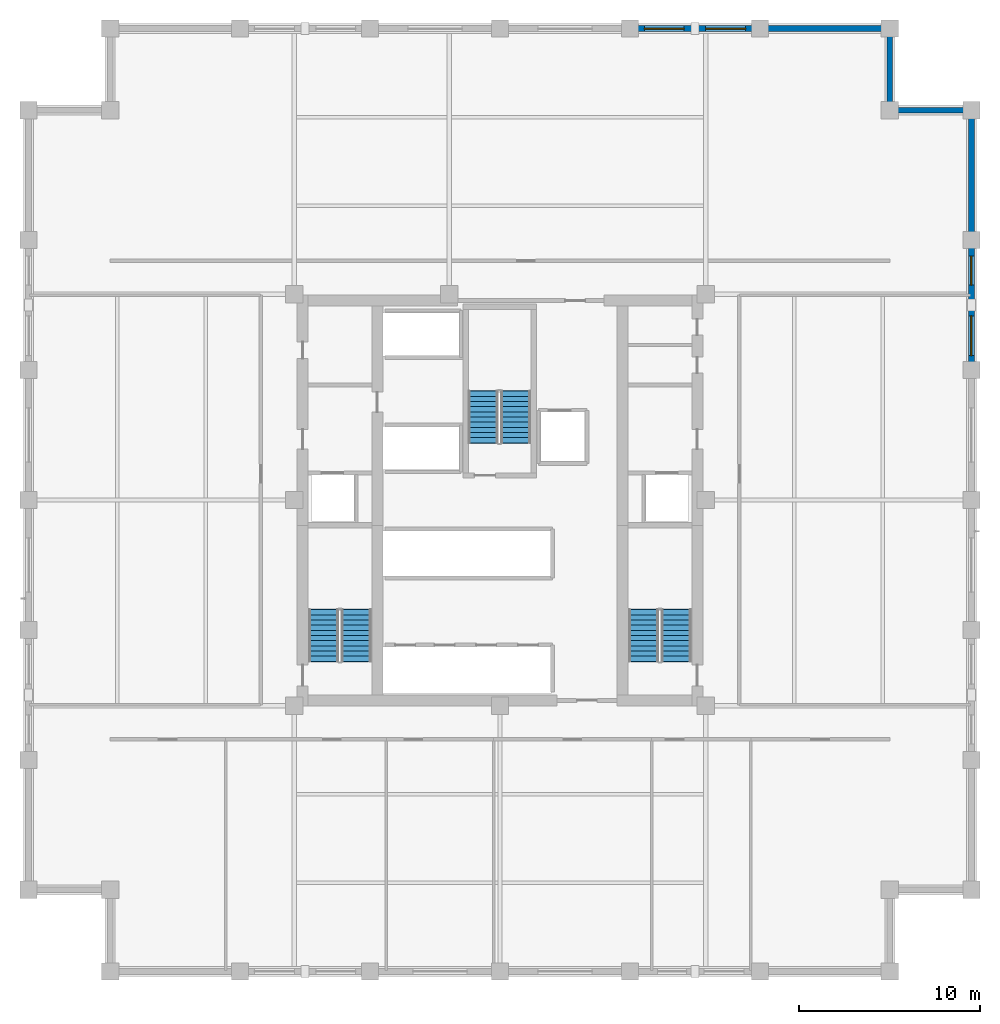
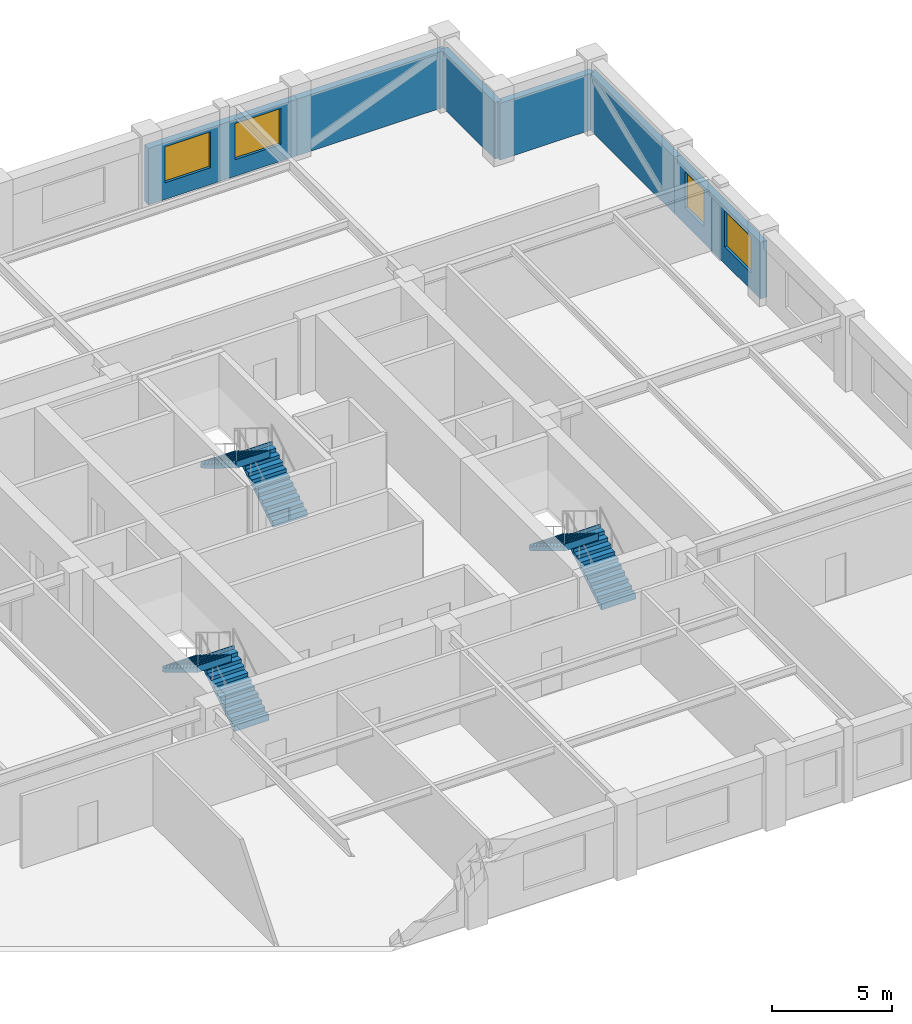
# One storey, part 8 of 9: 6 stair flights, 6 walls, 4 windows, 4 openings, 3 elements without a shape of their own.
"""IFC4 building model written with IfcOpenShell, lengths in metres."""

from ifc_helpers import new_model, si_unit, direction, frame, frame_2d, origin, place, context, subcontext, project, spatial, polyline, rectangle, outline, extrude, material, layer, layer_set, type_object, element, fill, aggregate, save


model = new_model("IFC4")

# Units and contexts
model_context = context("Model", 3, precision=1e-05, world=origin(), true_north=direction((0.0, 1.0)))
body_context = subcontext(model_context, "Body", "Model", "MODEL_VIEW")
ifc_project = project(units=[si_unit("LENGTHUNIT", "METRE"), si_unit("AREAUNIT", "SQUARE_METRE"), si_unit("VOLUMEUNIT", "CUBIC_METRE"), si_unit("PLANEANGLEUNIT", "RADIAN"), si_unit("MASSUNIT", "GRAM", prefix="KILO")], contexts=[model_context])

# Site, building, storey
site_placement = place(None, origin())
site = spatial("IfcSite", under=ifc_project, at=site_placement, CompositionType="ELEMENT")
building_placement = place(site_placement, origin())
building = spatial("IfcBuilding", under=site, at=building_placement, Name="Nhamokura Convention Tower", CompositionType="ELEMENT")
storey_placement = place(building_placement, frame((0.0, 0.0, 156.800048828125)))
storey = spatial("IfcBuildingStorey", under=building, at=storey_placement, Name="L38", CompositionType="ELEMENT", Elevation=156.800048828125)

# Wall, openings, windows
ifc_material_1 = material(Name="Bronze-pigmented precast concrete C45/55", Category="concrete")
ifc_layer = layer(ifc_material_1, 0.320068359375)
ifc_layer_set = layer_set([ifc_layer], Name="BronzePrecastSpandrel_320")
wall_type = type_object("IfcWallType", Name="BronzePrecastSpandrel_320", PredefinedType="USERDEFINED", material=ifc_layer_set)
wall_1_placement = place(storey_placement, frame((39.166748046875, 58.0, 0.0), z_axis=(0.0, 0.0, 1.0), x_axis=(1.0, 0.0, 0.0)))
wall_1 = element("IfcWall", 1, at=wall_1_placement, inside=storey, type_object=wall_type, Name="L38 Masonry-Frame Wall NORTH 4", ObjectType="SPANDREL_WALL", PredefinedType="USERDEFINED", context=body_context, shape_type="SweptSolid", body=[
    extrude(rectangle(XDim=7.16650390625, YDim=0.320068359375, at=frame_2d((3.583251953125, 0.0))), origin(), (0.0, 0.0, 1.0), 2.885009765625),
])
opening_1_placement = place(wall_1_placement, frame((0.791748046875, 0.0, 0.85009765625)))
opening_1 = element("IfcOpeningElement", 2, at=opening_1_placement, cuts=wall_1, Name="Opening W-06", PredefinedType="OPENING", context=body_context, shape_type="SweptSolid", body=[
    extrude(rectangle(XDim=2.199951171875, YDim=1.8349609375, at=frame_2d((1.10009765625, 0.91748046875))), frame((0.0, 0.169921875, 0.0), z_axis=(0.0, -1.0, 0.0), x_axis=(1.0, 0.0, 0.0)), (0.0, 0.0, 1.0), 0.340087890625),
])
opening_2_placement = place(wall_1_placement, frame((4.175048828125, 0.0, 0.85009765625)))
opening_2 = element("IfcOpeningElement", 3, at=opening_2_placement, cuts=wall_1, Name="Opening W-06", PredefinedType="OPENING", context=body_context, shape_type="SweptSolid", body=[
    extrude(rectangle(XDim=2.199951171875, YDim=1.8349609375, at=frame_2d((1.10009765625, 0.91748046875))), frame((0.0, 0.169921875, 0.0), z_axis=(0.0, -1.0, 0.0), x_axis=(1.0, 0.0, 0.0)), (0.0, 0.0, 1.0), 0.340087890625),
])
ifc_material_2 = material(Name="Solar-control bronze low-E double glass", Category="glass")
window_type_1 = type_object("IfcWindowType", Name="OfficeModuleWindow_Z2_2200", PartitioningType="SINGLE_PANEL", PredefinedType="WINDOW", material=ifc_material_2)
window_1_placement = place(opening_1_placement, origin())
window_1 = element("IfcWindow", 4, at=window_1_placement, inside=storey, type_object=window_type_1, Name="L38 Facade Window NORTH 4-1", OverallHeight=1.8349609375, OverallWidth=2.199951171875, PartitioningType="SINGLE_PANEL", PredefinedType="WINDOW", context=body_context, shape_type="SweptSolid", body=[
    extrude(rectangle(XDim=2.199951171875, YDim=1.8349609375, at=frame_2d((1.10009765625, 0.91748046875))), frame((0.0, 0.030029296875, 0.0), z_axis=(0.0, -1.0, 0.0), x_axis=(1.0, 0.0, 0.0)), (0.0, 0.0, 1.0), 0.06005859375),
])
fill(opening_1, window_1)
window_2_placement = place(opening_2_placement, origin())
window_2 = element("IfcWindow", 5, at=window_2_placement, inside=storey, type_object=window_type_1, Name="L38 Facade Window NORTH 4-2", OverallHeight=1.8349609375, OverallWidth=2.199951171875, PartitioningType="SINGLE_PANEL", PredefinedType="WINDOW", context=body_context, shape_type="SweptSolid", body=[
    extrude(rectangle(XDim=2.199951171875, YDim=1.8349609375, at=frame_2d((1.10009765625, 0.91748046875))), frame((0.0, 0.030029296875, 0.0), z_axis=(0.0, -1.0, 0.0), x_axis=(1.0, 0.0, 0.0)), (0.0, 0.0, 1.0), 0.06005859375),
])
fill(opening_2, window_2)

# Wall
wall_2_placement = place(storey_placement, frame((46.333251953125, 58.0, 0.0), z_axis=(0.0, 0.0, 1.0), x_axis=(1.0, 0.0, 0.0)))
element("IfcWall", 6, at=wall_2_placement, inside=storey, type_object=wall_type, Name="L38 Braced-Bay Precast Wall NORTH 5", ObjectType="SPANDREL_WALL", PredefinedType="USERDEFINED", context=body_context, shape_type="SweptSolid", body=[
    extrude(rectangle(XDim=7.166748046875, YDim=0.320068359375, at=frame_2d((3.58349609375, 0.0))), origin(), (0.0, 0.0, 1.0), 2.885009765625),
])

# Wall, openings, windows
wall_3_placement = place(storey_placement, frame((58.0, 46.333251953125, 0.0), z_axis=(0.0, 0.0, 1.0), x_axis=(0.0, -1.0, 0.0)))
wall_3 = element("IfcWall", 7, at=wall_3_placement, inside=storey, type_object=wall_type, Name="L38 Masonry-Frame Wall EAST 4", ObjectType="SPANDREL_WALL", PredefinedType="USERDEFINED", context=body_context, shape_type="SweptSolid", body=[
    extrude(rectangle(XDim=7.16650390625, YDim=0.320068359375, at=frame_2d((3.583251953125, 0.0))), origin(), (0.0, 0.0, 1.0), 2.885009765625),
])
opening_3_placement = place(wall_3_placement, frame((0.879150390625, 0.0, 0.85009765625)))
opening_3 = element("IfcOpeningElement", 8, at=opening_3_placement, cuts=wall_3, Name="Opening W-11", PredefinedType="OPENING", context=body_context, shape_type="SweptSolid", body=[
    extrude(rectangle(XDim=1.60009765625, YDim=1.8349609375, at=frame_2d((0.800048828125, 0.91748046875))), frame((0.0, 0.169921875, 0.0), z_axis=(0.0, -1.0, 0.0), x_axis=(1.0, 0.0, 0.0)), (0.0, 0.0, 1.0), 0.340087890625),
])
opening_4_placement = place(wall_3_placement, frame((4.175048828125, 0.0, 0.85009765625)))
opening_4 = element("IfcOpeningElement", 9, at=opening_4_placement, cuts=wall_3, Name="Opening W-06", PredefinedType="OPENING", context=body_context, shape_type="SweptSolid", body=[
    extrude(rectangle(XDim=2.199951171875, YDim=1.8349609375, at=frame_2d((1.10009765625, 0.91748046875))), frame((0.0, 0.169921875, 0.0), z_axis=(0.0, -1.0, 0.0), x_axis=(1.0, 0.0, 0.0)), (0.0, 0.0, 1.0), 0.340087890625),
])
ifc_material_3 = material(Name="Solar-control bronze low-E double glass", Category="glass")
window_type_2 = type_object("IfcWindowType", Name="NotchCornerWindow_1600", PartitioningType="SINGLE_PANEL", PredefinedType="WINDOW", material=ifc_material_3)
window_3_placement = place(opening_3_placement, origin())
window_3 = element("IfcWindow", 10, at=window_3_placement, inside=storey, type_object=window_type_2, Name="L38 Facade Window EAST 4-1", OverallHeight=1.8349609375, OverallWidth=1.60009765625, PartitioningType="SINGLE_PANEL", PredefinedType="WINDOW", context=body_context, shape_type="SweptSolid", body=[
    extrude(rectangle(XDim=1.60009765625, YDim=1.8349609375, at=frame_2d((0.800048828125, 0.91748046875))), frame((0.0, 0.030029296875, 0.0), z_axis=(0.0, -1.0, 0.0), x_axis=(1.0, 0.0, 0.0)), (0.0, 0.0, 1.0), 0.06005859375),
])
fill(opening_3, window_3)
window_4_placement = place(opening_4_placement, origin())
window_4 = element("IfcWindow", 11, at=window_4_placement, inside=storey, type_object=window_type_1, Name="L38 Facade Window EAST 4-2", OverallHeight=1.8349609375, OverallWidth=2.199951171875, PartitioningType="SINGLE_PANEL", PredefinedType="WINDOW", context=body_context, shape_type="SweptSolid", body=[
    extrude(rectangle(XDim=2.199951171875, YDim=1.8349609375, at=frame_2d((1.10009765625, 0.91748046875))), frame((0.0, 0.030029296875, 0.0), z_axis=(0.0, -1.0, 0.0), x_axis=(1.0, 0.0, 0.0)), (0.0, 0.0, 1.0), 0.06005859375),
])
fill(opening_4, window_4)

# Walls
wall_4_placement = place(storey_placement, frame((58.0, 53.5, 0.0), z_axis=(0.0, 0.0, 1.0), x_axis=(0.0, -1.0, 0.0)))
element("IfcWall", 12, at=wall_4_placement, inside=storey, type_object=wall_type, Name="L38 Braced-Bay Precast Wall EAST 5", ObjectType="SPANDREL_WALL", PredefinedType="USERDEFINED", context=body_context, shape_type="SweptSolid", body=[
    extrude(rectangle(XDim=7.166748046875, YDim=0.320068359375, at=frame_2d((3.58349609375, 0.0))), origin(), (0.0, 0.0, 1.0), 2.885009765625),
])
for number, where, z_axis, x_axis, name in (
    (13, (53.5, 53.5, 0.0), (0.0, 0.0, 1.0), (1.0, 0.0, 0.0), "L38 Notched Corner Wall NE1"),
    (14, (53.5, 58.0, 0.0), (0.0, 0.0, 1.0), (0.0, -1.0, 0.0), "L38 Notched Corner Wall NE2"),
):
    element("IfcWall", number, at=place(storey_placement, frame(where, z_axis=z_axis, x_axis=x_axis)), inside=storey, type_object=wall_type, Name=name, ObjectType="SPANDREL_WALL", PredefinedType="USERDEFINED", context=body_context, shape_type="SweptSolid", body=[
        extrude(rectangle(XDim=4.5, YDim=0.320068359375, at=frame_2d((2.25, 0.0))), origin(), (0.0, 0.0, 1.0), 2.885009765625),
    ])

# Stair, stair flights
ifc_material_4 = material(Name="Concrete C40/50", Category="concrete")
stair_type = type_object("IfcStairType", Name="TowerCoreStair_1650", PredefinedType="HALF_TURN_STAIR", material=ifc_material_4)
stair_1_placement = place(storey_placement, origin())
stair_1 = element("IfcStair", 15, at=stair_1_placement, inside=storey, type_object=stair_type, Name="L38 West Core Smokeproof Stair ST-01", PredefinedType="HALF_TURN_STAIR")
ifc_material_5 = material(Name="Concrete C40/50", Category="concrete")
stair_flight_type = type_object("IfcStairFlightType", Name="TowerCoreStair_1650_Flight", PredefinedType="STRAIGHT", material=ifc_material_5)
stair_flight_1_placement = place(storey_placement, frame((24.074951171875, 23.10009765625, 0.0), z_axis=(0.0, 0.0, 1.0), x_axis=(0.0, 1.0, 0.0)))
stair_flight_1 = element("IfcStairFlight", 16, at=stair_flight_1_placement, type_object=stair_flight_type, Name="ST-01 flight 1", NumberOfRisers=11, NumberOfTreads=10, PredefinedType="STRAIGHT", RiserHeight=0.175, TreadLength=0.285, context=body_context, shape_type="SweptSolid", body=[
    extrude(outline(polyline([(-0.0419921875, 0.0), (0.0, 0.175048828125), (0.284912109375, 0.175048828125), (0.284912109375, 0.35009765625), (0.570068359375, 0.35009765625), (0.570068359375, 0.52490234375), (0.85498046875, 0.52490234375), (0.85498046875, 0.699951171875), (1.139892578125, 0.699951171875), (1.139892578125, 0.875), (1.425048828125, 0.875), (1.425048828125, 1.050048828125), (1.7099609375, 1.050048828125), (1.7099609375, 1.22509765625), (1.9951171875, 1.22509765625), (1.9951171875, 1.39990234375), (2.280029296875, 1.39990234375), (2.280029296875, 1.574951171875), (2.56494140625, 1.574951171875), (2.56494140625, 1.75), (2.85009765625, 1.75), (2.85009765625, 1.925048828125), (2.89208984375, 1.925048828125), (2.89208984375, 1.573974609375), (2.85009765625, 1.573974609375), (0.286376953125, 0.0), (0.02001953125, -0.1298828125), (-0.0419921875, -0.1298828125), (-0.0419921875, 0.0)])), frame((0.0, 0.824951171875, 0.0), z_axis=(0.0, -1.0, 0.0), x_axis=(1.0, 0.0, 0.0)), (0.0, 0.0, 1.0), 1.64990234375),
])
stair_flight_2_placement = place(storey_placement, frame((22.27490234375, 25.949951171875, 1.925048828125), z_axis=(0.0, 0.0, 1.0), x_axis=(0.0, -1.0, 0.0)))
stair_flight_2 = element("IfcStairFlight", 17, at=stair_flight_2_placement, type_object=stair_flight_type, Name="ST-01 flight 2", NumberOfRisers=11, NumberOfTreads=10, PredefinedType="STRAIGHT", RiserHeight=0.175, TreadLength=0.285, context=body_context, shape_type="SweptSolid", body=[
    extrude(outline(polyline([(-0.0419921875, 0.0), (0.0, 0.175048828125), (0.284912109375, 0.175048828125), (0.284912109375, 0.35009765625), (0.570068359375, 0.35009765625), (0.570068359375, 0.52490234375), (0.85498046875, 0.52490234375), (0.85498046875, 0.699951171875), (1.139892578125, 0.699951171875), (1.139892578125, 0.875), (1.425048828125, 0.875), (1.425048828125, 1.050048828125), (1.7099609375, 1.050048828125), (1.7099609375, 1.22509765625), (1.9951171875, 1.22509765625), (1.9951171875, 1.39990234375), (2.280029296875, 1.39990234375), (2.280029296875, 1.574951171875), (2.56494140625, 1.574951171875), (2.56494140625, 1.75), (2.85009765625, 1.75), (2.85009765625, 1.925048828125), (2.89208984375, 1.925048828125), (2.89208984375, 1.573974609375), (2.85009765625, 1.573974609375), (0.286376953125, 0.0), (0.02001953125, -0.1298828125), (-0.0419921875, -0.1298828125), (-0.0419921875, 0.0)])), frame((0.0, 0.824951171875, 0.0), z_axis=(0.0, -1.0, 0.0), x_axis=(1.0, 0.0, 0.0)), (0.0, 0.0, 1.0), 1.64990234375),
])
aggregate(stair_1, [stair_flight_1, stair_flight_2])

stair_2_placement = place(storey_placement, origin())
stair_2 = element("IfcStair", 18, at=stair_2_placement, inside=storey, type_object=stair_type, Name="L38 East Core Smokeproof Stair ST-02", PredefinedType="HALF_TURN_STAIR")
stair_flight_3_placement = place(storey_placement, frame((41.72509765625, 23.10009765625, 0.0), z_axis=(0.0, 0.0, 1.0), x_axis=(0.0, 1.0, 0.0)))
stair_flight_3 = element("IfcStairFlight", 19, at=stair_flight_3_placement, type_object=stair_flight_type, Name="ST-02 flight 1", NumberOfRisers=11, NumberOfTreads=10, PredefinedType="STRAIGHT", RiserHeight=0.175, TreadLength=0.285, context=body_context, shape_type="SweptSolid", body=[
    extrude(outline(polyline([(-0.0419921875, 0.0), (0.0, 0.175048828125), (0.284912109375, 0.175048828125), (0.284912109375, 0.35009765625), (0.570068359375, 0.35009765625), (0.570068359375, 0.52490234375), (0.85498046875, 0.52490234375), (0.85498046875, 0.699951171875), (1.139892578125, 0.699951171875), (1.139892578125, 0.875), (1.425048828125, 0.875), (1.425048828125, 1.050048828125), (1.7099609375, 1.050048828125), (1.7099609375, 1.22509765625), (1.9951171875, 1.22509765625), (1.9951171875, 1.39990234375), (2.280029296875, 1.39990234375), (2.280029296875, 1.574951171875), (2.56494140625, 1.574951171875), (2.56494140625, 1.75), (2.85009765625, 1.75), (2.85009765625, 1.925048828125), (2.89208984375, 1.925048828125), (2.89208984375, 1.573974609375), (2.85009765625, 1.573974609375), (0.286376953125, 0.0), (0.02001953125, -0.1298828125), (-0.0419921875, -0.1298828125), (-0.0419921875, 0.0)])), frame((0.0, 0.824951171875, 0.0), z_axis=(0.0, -1.0, 0.0), x_axis=(1.0, 0.0, 0.0)), (0.0, 0.0, 1.0), 1.64990234375),
])
stair_flight_4_placement = place(storey_placement, frame((39.925048828125, 25.949951171875, 1.925048828125), z_axis=(0.0, 0.0, 1.0), x_axis=(0.0, -1.0, 0.0)))
stair_flight_4 = element("IfcStairFlight", 20, at=stair_flight_4_placement, type_object=stair_flight_type, Name="ST-02 flight 2", NumberOfRisers=11, NumberOfTreads=10, PredefinedType="STRAIGHT", RiserHeight=0.175, TreadLength=0.285, context=body_context, shape_type="SweptSolid", body=[
    extrude(outline(polyline([(-0.0419921875, 0.0), (0.0, 0.175048828125), (0.284912109375, 0.175048828125), (0.284912109375, 0.35009765625), (0.570068359375, 0.35009765625), (0.570068359375, 0.52490234375), (0.85498046875, 0.52490234375), (0.85498046875, 0.699951171875), (1.139892578125, 0.699951171875), (1.139892578125, 0.875), (1.425048828125, 0.875), (1.425048828125, 1.050048828125), (1.7099609375, 1.050048828125), (1.7099609375, 1.22509765625), (1.9951171875, 1.22509765625), (1.9951171875, 1.39990234375), (2.280029296875, 1.39990234375), (2.280029296875, 1.574951171875), (2.56494140625, 1.574951171875), (2.56494140625, 1.75), (2.85009765625, 1.75), (2.85009765625, 1.925048828125), (2.89208984375, 1.925048828125), (2.89208984375, 1.573974609375), (2.85009765625, 1.573974609375), (0.286376953125, 0.0), (0.02001953125, -0.1298828125), (-0.0419921875, -0.1298828125), (-0.0419921875, 0.0)])), frame((0.0, 0.824951171875, 0.0), z_axis=(0.0, -1.0, 0.0), x_axis=(1.0, 0.0, 0.0)), (0.0, 0.0, 1.0), 1.64990234375),
])
aggregate(stair_2, [stair_flight_3, stair_flight_4])

stair_3_placement = place(storey_placement, origin())
stair_3 = element("IfcStair", 21, at=stair_3_placement, inside=storey, type_object=stair_type, Name="L38 North Core Smokeproof Stair ST-03", PredefinedType="HALF_TURN_STAIR")
stair_flight_5_placement = place(storey_placement, frame((32.875, 35.14990234375, 0.0), z_axis=(0.0, 0.0, 1.0), x_axis=(0.0, 1.0, 0.0)))
stair_flight_5 = element("IfcStairFlight", 22, at=stair_flight_5_placement, type_object=stair_flight_type, Name="ST-03 flight 1", NumberOfRisers=11, NumberOfTreads=10, PredefinedType="STRAIGHT", RiserHeight=0.175, TreadLength=0.285, context=body_context, shape_type="SweptSolid", body=[
    extrude(outline(polyline([(-0.0419921875, 0.0), (0.0, 0.175048828125), (0.284912109375, 0.175048828125), (0.284912109375, 0.35009765625), (0.570068359375, 0.35009765625), (0.570068359375, 0.52490234375), (0.85498046875, 0.52490234375), (0.85498046875, 0.699951171875), (1.139892578125, 0.699951171875), (1.139892578125, 0.875), (1.425048828125, 0.875), (1.425048828125, 1.050048828125), (1.7099609375, 1.050048828125), (1.7099609375, 1.22509765625), (1.9951171875, 1.22509765625), (1.9951171875, 1.39990234375), (2.280029296875, 1.39990234375), (2.280029296875, 1.574951171875), (2.56494140625, 1.574951171875), (2.56494140625, 1.75), (2.85009765625, 1.75), (2.85009765625, 1.925048828125), (2.89208984375, 1.925048828125), (2.89208984375, 1.573974609375), (2.85009765625, 1.573974609375), (0.286376953125, 0.0), (0.02001953125, -0.1298828125), (-0.0419921875, -0.1298828125), (-0.0419921875, 0.0)])), frame((0.0, 0.824951171875, 0.0), z_axis=(0.0, -1.0, 0.0), x_axis=(1.0, 0.0, 0.0)), (0.0, 0.0, 1.0), 1.64990234375),
])
stair_flight_6_placement = place(storey_placement, frame((31.074951171875, 38.0, 1.925048828125), z_axis=(0.0, 0.0, 1.0), x_axis=(0.0, -1.0, 0.0)))
stair_flight_6 = element("IfcStairFlight", 23, at=stair_flight_6_placement, type_object=stair_flight_type, Name="ST-03 flight 2", NumberOfRisers=11, NumberOfTreads=10, PredefinedType="STRAIGHT", RiserHeight=0.175, TreadLength=0.285, context=body_context, shape_type="SweptSolid", body=[
    extrude(outline(polyline([(-0.0419921875, 0.0), (0.0, 0.175048828125), (0.284912109375, 0.175048828125), (0.284912109375, 0.35009765625), (0.570068359375, 0.35009765625), (0.570068359375, 0.52490234375), (0.85498046875, 0.52490234375), (0.85498046875, 0.699951171875), (1.139892578125, 0.699951171875), (1.139892578125, 0.875), (1.425048828125, 0.875), (1.425048828125, 1.050048828125), (1.7099609375, 1.050048828125), (1.7099609375, 1.22509765625), (1.9951171875, 1.22509765625), (1.9951171875, 1.39990234375), (2.280029296875, 1.39990234375), (2.280029296875, 1.574951171875), (2.56494140625, 1.574951171875), (2.56494140625, 1.75), (2.85009765625, 1.75), (2.85009765625, 1.925048828125), (2.89208984375, 1.925048828125), (2.89208984375, 1.573974609375), (2.85009765625, 1.573974609375), (0.286376953125, 0.0), (0.02001953125, -0.1298828125), (-0.0419921875, -0.1298828125), (-0.0419921875, 0.0)])), frame((0.0, 0.824951171875, 0.0), z_axis=(0.0, -1.0, 0.0), x_axis=(1.0, 0.0, 0.0)), (0.0, 0.0, 1.0), 1.64990234375),
])
aggregate(stair_3, [stair_flight_5, stair_flight_6])

save(model, "model.ifc")
